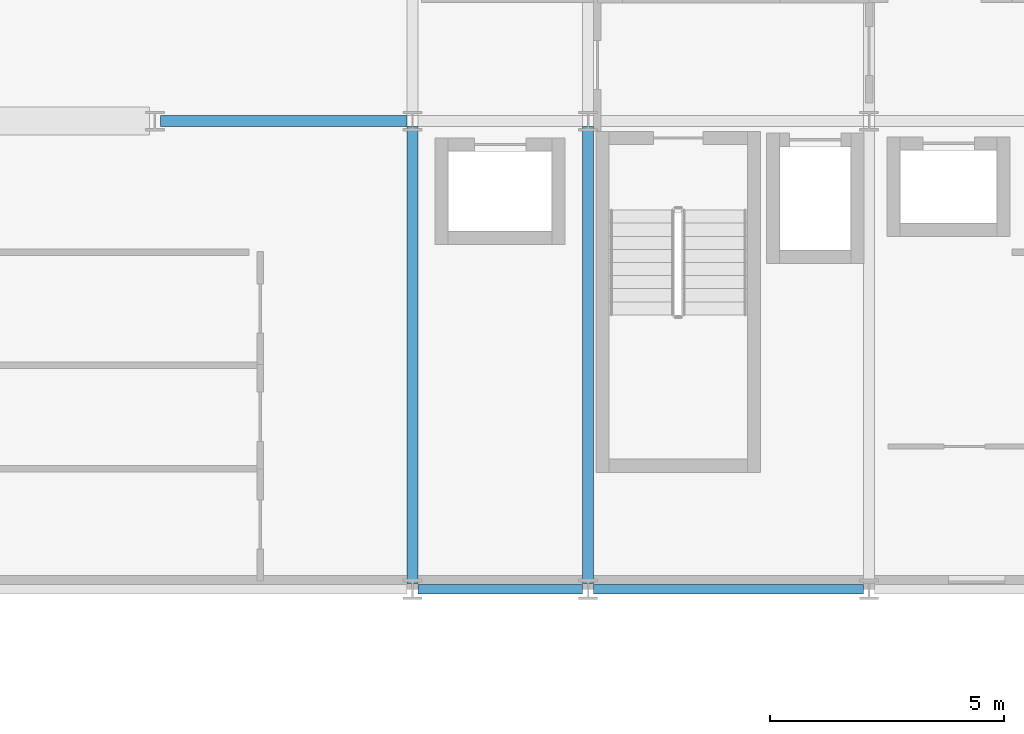
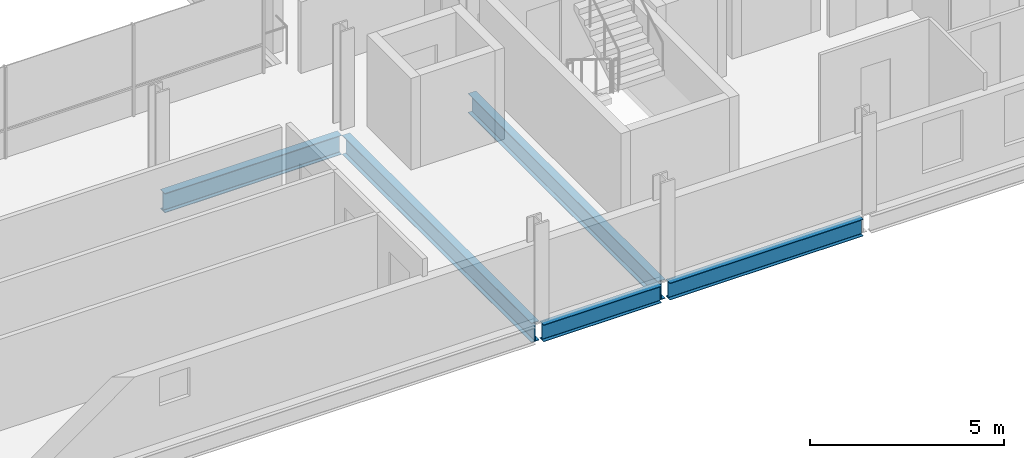
# One storey, part 12 of 41: 5 beams.
"""IFC4 building model written with IfcOpenShell, lengths in metres."""

from ifc_helpers import new_model, si_unit, direction, frame, origin, origin_2d, place, context, subcontext, project, spatial, i_section, extrude, material, material_profile, profile_set, type_object, element, save


model = new_model("IFC4")

# Units and contexts
model_context = context("Model", 3, precision=1e-05, world=origin(), true_north=direction((0.0, 1.0)))
body_context = subcontext(model_context, "Body", "Model", "MODEL_VIEW")
ifc_project = project(units=[si_unit("LENGTHUNIT", "METRE"), si_unit("AREAUNIT", "SQUARE_METRE"), si_unit("VOLUMEUNIT", "CUBIC_METRE"), si_unit("PLANEANGLEUNIT", "RADIAN"), si_unit("MASSUNIT", "GRAM", prefix="KILO")], contexts=[model_context])

# Site, building, storey
site_placement = place(None, origin())
site = spatial("IfcSite", under=ifc_project, at=site_placement, CompositionType="ELEMENT")
building_placement = place(site_placement, origin())
building = spatial("IfcBuilding", under=site, at=building_placement, Name="Brevholm Reach", CompositionType="ELEMENT")
storey_placement = place(building_placement, frame((0.0, 0.0, 112.800048828125)))
storey = spatial("IfcBuildingStorey", under=building, at=storey_placement, Name="L33", CompositionType="ELEMENT", Elevation=112.800048828125)

# Beams
ifc_material_1 = material(Name="Structural Steel S355J2", Category="steel")
ifc_material_profile_1 = material_profile(ifc_material_1, i_section(OverallWidth=0.209228515625, OverallDepth=0.533203125, WebThickness=0.010009765625, FlangeThickness=0.015625, FilletRadius=0.0126953125, at=origin_2d()), Name="UKB 533x210x92")
ifc_profile_set_1 = profile_set([ifc_material_profile_1], Name="Structural Steel S355J2")
beam_type_1 = type_object("IfcBeamType", Name="BM-SP533", PredefinedType="SPANDREL", material=ifc_profile_set_1)
beam_1_placement = place(storey_placement, frame((38.3701171875, 0.0, -0.486572265625), z_axis=(1.0, 0.0, 0.0), x_axis=(0.0, 1.0, 0.0)))
element("IfcBeam", 1, at=beam_1_placement, inside=storey, type_object=beam_type_1, Name="L33 SP-02 Framing Beam", PredefinedType="SPANDREL", context=body_context, shape_type="SweptSolid", body=[
    extrude(i_section(OverallWidth=0.209228515625, OverallDepth=0.533203125, WebThickness=0.010009765625, FlangeThickness=0.015625, FilletRadius=0.0126953125, at=origin_2d()), origin(), (0.0, 0.0, 1.0), 3.509765625),
])
beam_2_placement = place(storey_placement, frame((42.1201171875, 0.0, -0.486572265625), z_axis=(1.0, 0.0, 0.0), x_axis=(0.0, 1.0, 0.0)))
element("IfcBeam", 2, at=beam_2_placement, inside=storey, type_object=beam_type_1, Name="L33 SP-02 Framing Beam", PredefinedType="SPANDREL", context=body_context, shape_type="SweptSolid", body=[
    extrude(i_section(OverallWidth=0.209228515625, OverallDepth=0.533203125, WebThickness=0.010009765625, FlangeThickness=0.015625, FilletRadius=0.0126953125, at=origin_2d()), origin(), (0.0, 0.0, 1.0), 5.759765625),
])
ifc_material_2 = material(Name="Structural Steel S355J2", Category="steel")
ifc_material_profile_2 = material_profile(ifc_material_2, i_section(OverallWidth=0.22900390625, OverallDepth=0.6123046875, WebThickness=0.011962890625, FlangeThickness=0.01953125, FilletRadius=0.0126953125, at=origin_2d()), Name="UKB 610x229x125")
ifc_profile_set_2 = profile_set([ifc_material_profile_2], Name="Structural Steel S355J2")
beam_type_2 = type_object("IfcBeamType", Name="BM-SP610", PredefinedType="SPANDREL", material=ifc_profile_set_2)
beam_3_placement = place(storey_placement, frame((32.8701171875, 10.0, -0.526123046875), z_axis=(1.0, 0.0, 0.0), x_axis=(0.0, 1.0, 0.0)))
element("IfcBeam", 3, at=beam_3_placement, inside=storey, type_object=beam_type_2, Name="L33 SP-01 Framing Beam", PredefinedType="SPANDREL", context=body_context, shape_type="SweptSolid", body=[
    extrude(i_section(OverallWidth=0.22900390625, OverallDepth=0.6123046875, WebThickness=0.011962890625, FlangeThickness=0.01953125, FilletRadius=0.0126953125, at=origin_2d()), origin(), (0.0, 0.0, 1.0), 5.259765625),
])
for number, where, z_axis, x_axis, name in (
    (4, (38.25, 0.1201171875, -0.526123046875), (0.0, 1.0, 0.0), (-1.0, 0.0, 0.0), "L33 SP-01 Framing Beam"),
    (5, (42.0, 0.1201171875, -0.526123046875), (0.0, 1.0, 0.0), (-1.0, 0.0, 0.0), "L33 SP-01 Framing Beam"),
):
    element("IfcBeam", number, at=place(storey_placement, frame(where, z_axis=z_axis, x_axis=x_axis)), inside=storey, type_object=beam_type_2, Name=name, PredefinedType="SPANDREL", context=body_context, shape_type="SweptSolid", body=[
        extrude(i_section(OverallWidth=0.22900390625, OverallDepth=0.6123046875, WebThickness=0.011962890625, FlangeThickness=0.01953125, FilletRadius=0.0126953125, at=origin_2d()), origin(), (0.0, 0.0, 1.0), 9.759765625),
    ])

save(model, "model.ifc")
